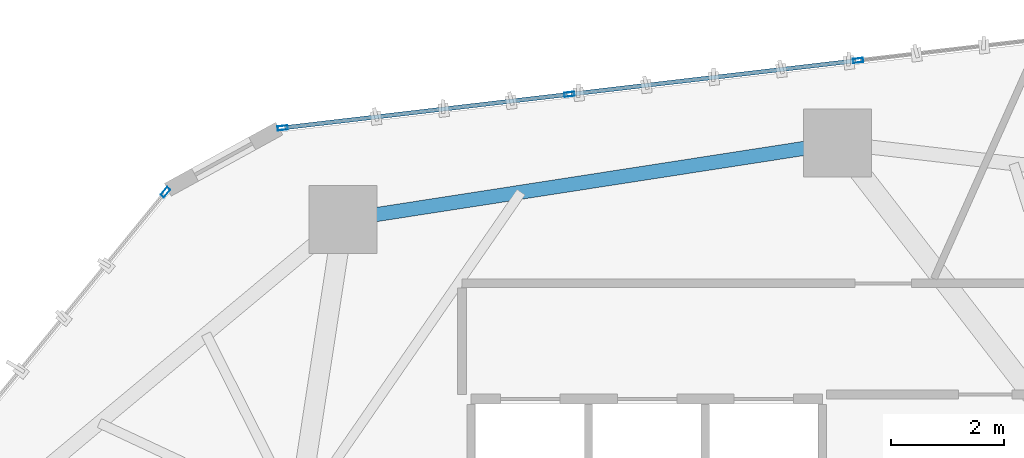
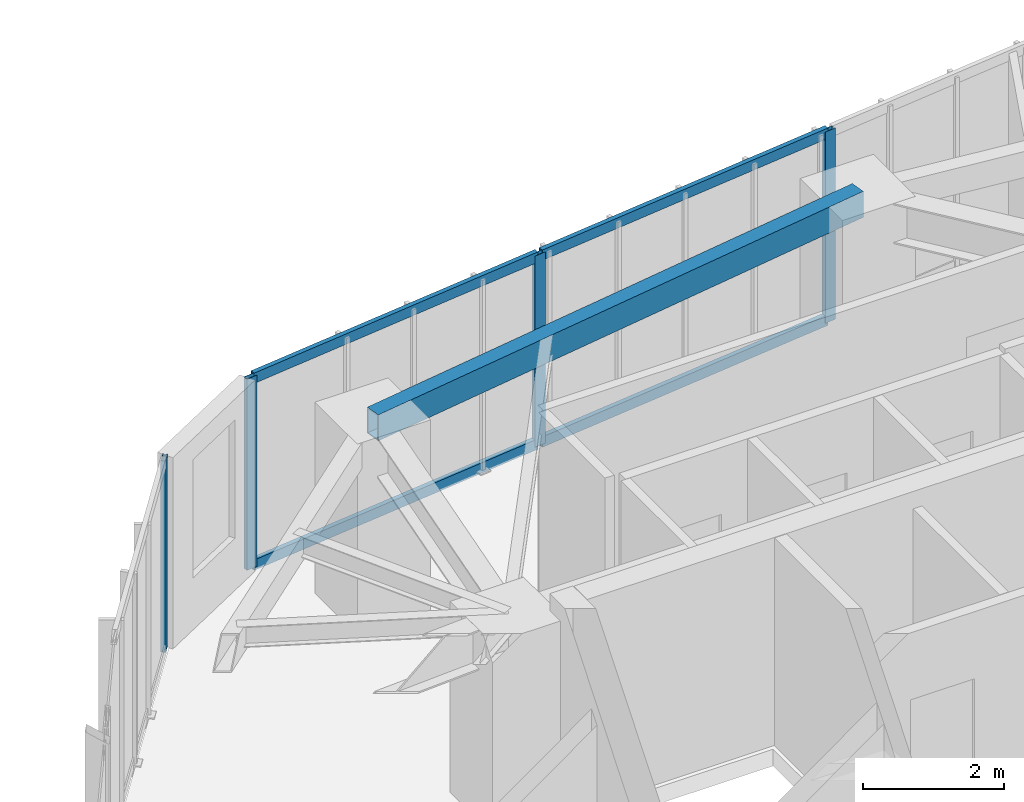
# One storey, part 16 of 24: 8 members, 1 beam, 2 elements without a shape of their own.
"""IFC4 building model written with IfcOpenShell, lengths in metres."""

from ifc_helpers import new_model, si_unit, direction, frame, origin, origin_2d, place, context, subcontext, project, spatial, hollow_rectangle, extrude, source, transform, mapped, material, layer, layer_set, material_profile, profile_set, type_object, type_shapes, element, aggregate, save


model = new_model("IFC4")

# Units and contexts
model_context = context("Model", 3, precision=1e-05, world=origin(), true_north=direction((0.0, 1.0)))
body_context = subcontext(model_context, "Body", "Model", "MODEL_VIEW")
ifc_project = project(units=[si_unit("LENGTHUNIT", "METRE"), si_unit("AREAUNIT", "SQUARE_METRE"), si_unit("VOLUMEUNIT", "CUBIC_METRE"), si_unit("PLANEANGLEUNIT", "RADIAN"), si_unit("MASSUNIT", "GRAM", prefix="KILO")], contexts=[model_context])

# Site, building, storey
site_placement = place(None, origin())
site = spatial("IfcSite", under=ifc_project, at=site_placement, CompositionType="ELEMENT")
building_placement = place(site_placement, origin())
building = spatial("IfcBuilding", under=site, at=building_placement, Name="Talar Marvaseh", CompositionType="ELEMENT")
storey_placement = place(building_placement, frame((0.0, 0.0, 111.0)))
storey = spatial("IfcBuildingStorey", under=building, at=storey_placement, Name="L28", CompositionType="ELEMENT", Elevation=111.0)

# Beam
ifc_material_1 = material(Name="Steel S355", Category="steel")
ifc_material_profile_1 = material_profile(ifc_material_1, hollow_rectangle(XDim=0.25, YDim=0.449951171875, WallThickness=0.01611328125, at=origin_2d()), Name="RHS450x250x16")
ifc_profile_set_1 = profile_set([ifc_material_profile_1], Name="Steel S355")
beam_type = type_object("IfcBeamType", Name="Zone 2 Perimeter Spandrel Beam RHS450x250x16", PredefinedType="SPANDREL", material=ifc_profile_set_1)
beam_placement = place(storey_placement, frame((19.5009765625, 42.123046875, 3.0849609375), z_axis=(0.988248879948, 0.152853365295, 0.0), x_axis=(-0.152853365295, 0.988248879948, 0.0)))
element("IfcBeam", 1, at=beam_placement, inside=storey, type_object=beam_type, Name="L28 Zone 2 Perimeter Spandrel Beam RHS450x250x16", PredefinedType="SPANDREL", context=body_context, shape_type="SweptSolid", body=[
    extrude(hollow_rectangle(XDim=0.25, YDim=0.449951171875, WallThickness=0.01611328125, at=origin_2d()), origin(), (0.0, 0.0, 1.0), 8.82470703125),
])

# Curtain wall, member
ifc_material_2 = material(Name="Architectural Aluminium", Category="aluminium")
ifc_layer = layer(ifc_material_2, 0.199951171875)
ifc_layer_set = layer_set([ifc_layer], Name="Architectural Aluminium")
curtain_wall_type = type_object("IfcCurtainWallType", Name="Unitised Acoustic Library Curtain Wall Z2", PredefinedType="NOTDEFINED", material=ifc_layer_set)
curtain_wall_1_placement = place(storey_placement, origin())
curtain_wall_1 = element("IfcCurtainWall", 2, at=curtain_wall_1_placement, inside=storey, type_object=curtain_wall_type, Name="L28 Unitised Acoustic Library Curtain Wall Z2", PredefinedType="NOTDEFINED")
ifc_material_profile_2 = material_profile(ifc_material_2, hollow_rectangle(XDim=0.074951171875, YDim=0.179931640625, WallThickness=0.0048828125, at=origin_2d()), Name="RHS180x75x5")
ifc_profile_set_2 = profile_set([ifc_material_profile_2], Name="Architectural Aluminium")
member_type_1 = type_object("IfcMemberType", Name="Unitised Curtain Wall Standard Mullion RHS180x75x5", PredefinedType="MULLION", material=ifc_profile_set_2)
shared_shape_1 = source(origin(), body_context, "Body", "SweptSolid", [
    extrude(hollow_rectangle(XDim=0.074951171875, YDim=0.179931640625, WallThickness=0.0048828125, at=origin_2d()), origin(), (0.0, 0.0, 1.0), 3.31005859375),
])
type_shapes(member_type_1, [shared_shape_1])
member_1_placement = place(storey_placement, frame((16.3662109375, 42.607421875, 0.0), z_axis=(0.0, 0.0, 1.0), x_axis=(-0.775146356701, 0.631781707311, 0.0)))
member_1 = element("IfcMember", 3, at=member_1_placement, type_object=member_type_1, Name="CW-Z2 mullion 4", PredefinedType="MULLION", context=body_context, shape_type="MappedRepresentation", body=[
    mapped(shared_shape_1, transform((0.0, 0.0, 0.0), x_axis=(1.0, 0.0, 0.0), y_axis=(0.0, 1.0, 0.0), z_axis=(0.0, 0.0, 1.0), scale=1.0)),
])
aggregate(curtain_wall_1, [member_1])

# Curtain wall, members
curtain_wall_2_placement = place(storey_placement, origin())
curtain_wall_2 = element("IfcCurtainWall", 4, at=curtain_wall_2_placement, inside=storey, type_object=curtain_wall_type, Name="L28 Unitised Acoustic Library Curtain Wall Z2", PredefinedType="NOTDEFINED")
member_2_placement = place(storey_placement, frame((18.434814453125, 43.7421875, 0.0), z_axis=(0.0, 0.0, 1.0), x_axis=(-0.116360184884, 0.993207081818, 0.0)))
member_2 = element("IfcMember", 5, at=member_2_placement, type_object=member_type_1, Name="CW-Z2 mullion 1", PredefinedType="MULLION", context=body_context, shape_type="MappedRepresentation", body=[
    mapped(shared_shape_1, transform((0.0, 0.0, 0.0), x_axis=(1.0, 0.0, 0.0), y_axis=(0.0, 1.0, 0.0), z_axis=(0.0, 0.0, 1.0), scale=1.0)),
])
member_3_placement = place(storey_placement, frame((23.492919921875, 44.334716796875, 0.0), z_axis=(0.0, 0.0, 1.0), x_axis=(-0.116360184884, 0.993207081818, 0.0)))
member_3 = element("IfcMember", 6, at=member_3_placement, type_object=member_type_1, Name="CW-Z2 mullion 2", PredefinedType="MULLION", context=body_context, shape_type="MappedRepresentation", body=[
    mapped(shared_shape_1, transform((0.0, 0.0, 0.0), x_axis=(1.0, 0.0, 0.0), y_axis=(0.0, 1.0, 0.0), z_axis=(0.0, 0.0, 1.0), scale=1.0)),
])
member_4_placement = place(storey_placement, frame((28.587890625, 44.931884765625, 0.0), z_axis=(0.0, 0.0, 1.0), x_axis=(-0.116360184884, 0.993207081818, 0.0)))
member_4 = element("IfcMember", 7, at=member_4_placement, type_object=member_type_1, Name="CW-Z2 mullion 3", PredefinedType="MULLION", context=body_context, shape_type="MappedRepresentation", body=[
    mapped(shared_shape_1, transform((0.0, 0.0, 0.0), x_axis=(1.0, 0.0, 0.0), y_axis=(0.0, 1.0, 0.0), z_axis=(0.0, 0.0, 1.0), scale=1.0)),
])
ifc_material_profile_3 = material_profile(ifc_material_2, hollow_rectangle(XDim=0.074951171875, YDim=0.179931640625, WallThickness=0.0048828125, at=origin_2d()), Name="RHS180x75x5")
ifc_profile_set_3 = profile_set([ifc_material_profile_3], Name="Architectural Aluminium")
member_type_2 = type_object("IfcMemberType", Name="Unitised Curtain Wall Transom RHS180x75x5", PredefinedType="USERDEFINED", material=ifc_profile_set_3)
shared_shape_2 = source(origin(), body_context, "Body", "SweptSolid", [
    extrude(hollow_rectangle(XDim=0.074951171875, YDim=0.179931640625, WallThickness=0.0048828125, at=origin_2d()), origin(), (0.0, 0.0, 1.0), 5.017578125),
])
member_5_placement = place(storey_placement, frame((18.47216796875, 43.74658203125, 0.03759765625), z_axis=(0.993203643259, 0.116389531387, 0.0), x_axis=(-0.116389531387, 0.993203643259, 0.0)))
member_5 = element("IfcMember", 8, at=member_5_placement, type_object=member_type_2, Name="CW-Z2 transom 1.1", ObjectType="TRANSOM", PredefinedType="USERDEFINED", context=body_context, shape_type="MappedRepresentation", body=[
    mapped(shared_shape_2, transform((0.0, 0.0, 0.0), x_axis=(1.0, 0.0, 0.0), y_axis=(0.0, 1.0, 0.0), z_axis=(0.0, 0.0, 1.0), scale=1.0)),
])
member_6_placement = place(storey_placement, frame((18.47216796875, 43.74658203125, 3.2724609375), z_axis=(0.993203643259, 0.116389531387, 0.0), x_axis=(-0.116389531387, 0.993203643259, 0.0)))
member_6 = element("IfcMember", 9, at=member_6_placement, type_object=member_type_2, Name="CW-Z2 transom 1.2", ObjectType="TRANSOM", PredefinedType="USERDEFINED", context=body_context, shape_type="MappedRepresentation", body=[
    mapped(shared_shape_2, transform((0.0, 0.0, 0.0), x_axis=(1.0, 0.0, 0.0), y_axis=(0.0, 1.0, 0.0), z_axis=(0.0, 0.0, 1.0), scale=1.0)),
])
shared_shape_3 = source(origin(), body_context, "Body", "SweptSolid", [
    extrude(hollow_rectangle(XDim=0.074951171875, YDim=0.179931640625, WallThickness=0.0048828125, at=origin_2d()), origin(), (0.0, 0.0, 1.0), 5.05517578125),
])
type_shapes(member_type_2, [shared_shape_2, shared_shape_3])
member_7_placement = place(storey_placement, frame((23.530029296875, 44.339111328125, 0.03759765625), z_axis=(0.993203249397, 0.116392892344, 0.0), x_axis=(-0.116392892344, 0.993203249397, 0.0)))
member_7 = element("IfcMember", 10, at=member_7_placement, type_object=member_type_2, Name="CW-Z2 transom 2.1", ObjectType="TRANSOM", PredefinedType="USERDEFINED", context=body_context, shape_type="MappedRepresentation", body=[
    mapped(shared_shape_3, transform((0.0, 0.0, 0.0), x_axis=(1.0, 0.0, 0.0), y_axis=(0.0, 1.0, 0.0), z_axis=(0.0, 0.0, 1.0), scale=1.0)),
])
member_8_placement = place(storey_placement, frame((23.530029296875, 44.339111328125, 3.2724609375), z_axis=(0.993203249397, 0.116392892344, 0.0), x_axis=(-0.116392892344, 0.993203249397, 0.0)))
member_8 = element("IfcMember", 11, at=member_8_placement, type_object=member_type_2, Name="CW-Z2 transom 2.2", ObjectType="TRANSOM", PredefinedType="USERDEFINED", context=body_context, shape_type="MappedRepresentation", body=[
    mapped(shared_shape_3, transform((0.0, 0.0, 0.0), x_axis=(1.0, 0.0, 0.0), y_axis=(0.0, 1.0, 0.0), z_axis=(0.0, 0.0, 1.0), scale=1.0)),
])
aggregate(curtain_wall_2, [member_2, member_3, member_4, member_5, member_6, member_7, member_8])

save(model, "model.ifc")
